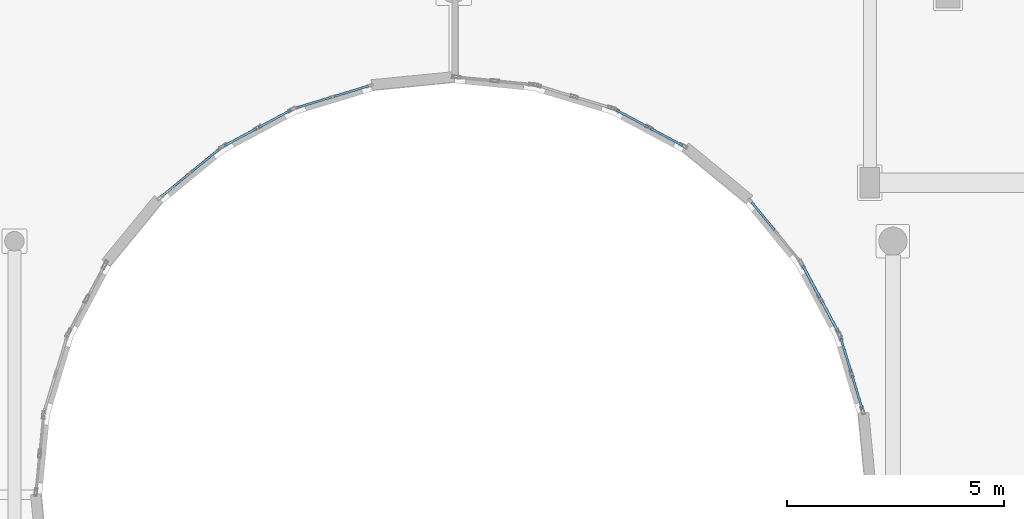
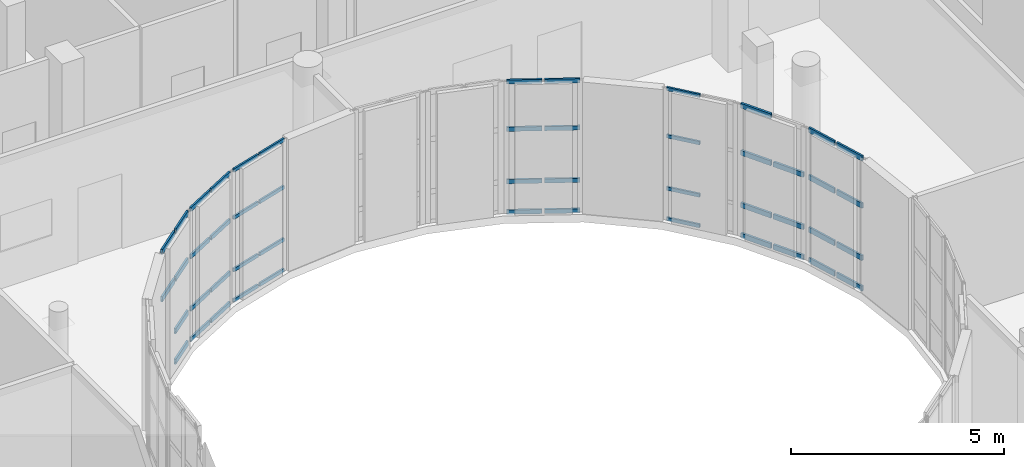
# One storey, part 53 of 89: 49 members, 7 elements without a shape of their own.
"""IFC4 building model written with IfcOpenShell, lengths in metres."""

from ifc_helpers import new_model, si_unit, direction, frame, origin, origin_2d, place, context, subcontext, project, spatial, hollow_rectangle, extrude, material, layer, layer_set, material_profile, profile_set, type_object, element, aggregate, save


model = new_model("IFC4")

# Units and contexts
model_context = context("Model", 3, precision=1e-05, world=origin(), true_north=direction((0.0, 1.0)))
body_context = subcontext(model_context, "Body", "Model", "MODEL_VIEW")
ifc_project = project(units=[si_unit("LENGTHUNIT", "METRE"), si_unit("AREAUNIT", "SQUARE_METRE"), si_unit("VOLUMEUNIT", "CUBIC_METRE"), si_unit("PLANEANGLEUNIT", "RADIAN"), si_unit("MASSUNIT", "GRAM", prefix="KILO")], contexts=[model_context])

# Site, building, storey
site_placement = place(None, origin())
site = spatial("IfcSite", under=ifc_project, at=site_placement, CompositionType="ELEMENT")
building_placement = place(site_placement, origin())
building = spatial("IfcBuilding", under=site, at=building_placement, Name="Kelanivale Promenade Academy", CompositionType="ELEMENT")
storey_placement = place(building_placement, frame((0.0, 0.0, 12.199951171875)))
storey = spatial("IfcBuildingStorey", under=building, at=storey_placement, Name="L03", CompositionType="ELEMENT", Elevation=12.199951171875)

# Curtain wall, members
ifc_material_1 = material(Name="Bronze anodised aluminium and solar-control low-E glass", Category="aluminium")
ifc_layer_1 = layer(ifc_material_1, 0.169921875)
ifc_layer_set_1 = layer_set([ifc_layer_1], Name="Bronze anodised aluminium and solar-control low-E glass")
curtain_wall_type_1 = type_object("IfcCurtainWallType", Name="CW-13 Curtain Wall 1350mm Module", PredefinedType="USERDEFINED", material=ifc_layer_set_1)
curtain_wall_1_placement = place(storey_placement, origin())
curtain_wall_1 = element("IfcCurtainWall", 1, at=curtain_wall_1_placement, inside=storey, type_object=curtain_wall_type_1, Name="L03 courtyard curtain wall CW-13", ObjectType="COURTYARD SCREEN GLAZING", PredefinedType="USERDEFINED")
ifc_material_2 = material(Name="Bronze anodised aluminium EN AW-6063 T6", Category="aluminium")
ifc_material_profile_1 = material_profile(ifc_material_2, hollow_rectangle(XDim=0.050048828125, YDim=0.10009765625, WallThickness=0.0029296875, at=origin_2d()), Name="ALU 50x100x3.0")
ifc_profile_set_1 = profile_set([ifc_material_profile_1], Name="Bronze anodised aluminium EN AW-6063 T6")
member_type_1 = type_object("IfcMemberType", Name="CWT-01 ALU 50x100x3.0", PredefinedType="USERDEFINED", material=ifc_profile_set_1)
member_1_placement = place(storey_placement, frame((106.202392578125, 62.904296875, 0.025146484375), z_axis=(-0.634083092319, 0.773264917111, 0.0), x_axis=(-0.773264917111, -0.634083092319, 0.0)))
member_1 = element("IfcMember", 2, at=member_1_placement, type_object=member_type_1, Name="CW-13 transom 2.1", ObjectType="TRANSOM", PredefinedType="USERDEFINED", context=body_context, shape_type="SweptSolid", body=[
    extrude(hollow_rectangle(XDim=0.050048828125, YDim=0.10009765625, WallThickness=0.0029296875, at=origin_2d()), origin(), (0.0, 0.0, 1.0), 0.833251953125),
])
member_2_placement = place(storey_placement, frame((106.202392578125, 62.904296875, 0.900146484375), z_axis=(-0.634083092319, 0.773264917111, 0.0), x_axis=(-0.773264917111, -0.634083092319, 0.0)))
member_2 = element("IfcMember", 3, at=member_2_placement, type_object=member_type_1, Name="CW-13 transom 2.2", ObjectType="TRANSOM", PredefinedType="USERDEFINED", context=body_context, shape_type="SweptSolid", body=[
    extrude(hollow_rectangle(XDim=0.050048828125, YDim=0.10009765625, WallThickness=0.0029296875, at=origin_2d()), origin(), (0.0, 0.0, 1.0), 0.833251953125),
])
member_3_placement = place(storey_placement, frame((106.202392578125, 62.904296875, 2.400146484375), z_axis=(-0.634083092319, 0.773264917111, 0.0), x_axis=(-0.773264917111, -0.634083092319, 0.0)))
member_3 = element("IfcMember", 4, at=member_3_placement, type_object=member_type_1, Name="CW-13 transom 2.3", ObjectType="TRANSOM", PredefinedType="USERDEFINED", context=body_context, shape_type="SweptSolid", body=[
    extrude(hollow_rectangle(XDim=0.050048828125, YDim=0.10009765625, WallThickness=0.0029296875, at=origin_2d()), origin(), (0.0, 0.0, 1.0), 0.833251953125),
])
member_4_placement = place(storey_placement, frame((106.202392578125, 62.904296875, 3.755126953125), z_axis=(-0.634083092319, 0.773264917111, 0.0), x_axis=(-0.773264917111, -0.634083092319, 0.0)))
member_4 = element("IfcMember", 5, at=member_4_placement, type_object=member_type_1, Name="CW-13 transom 2.4", ObjectType="TRANSOM", PredefinedType="USERDEFINED", context=body_context, shape_type="SweptSolid", body=[
    extrude(hollow_rectangle(XDim=0.050048828125, YDim=0.10009765625, WallThickness=0.0029296875, at=origin_2d()), origin(), (0.0, 0.0, 1.0), 0.833251953125),
])
aggregate(curtain_wall_1, [member_1, member_2, member_3, member_4])

ifc_layer_2 = layer(ifc_material_1, 0.179931640625)
ifc_layer_set_2 = layer_set([ifc_layer_2], Name="Bronze anodised aluminium and solar-control low-E glass")
curtain_wall_type_2 = type_object("IfcCurtainWallType", Name="CW-17 Curtain Wall 1950mm Module", PredefinedType="USERDEFINED", material=ifc_layer_set_2)
curtain_wall_2_placement = place(storey_placement, origin())
curtain_wall_2 = element("IfcCurtainWall", 6, at=curtain_wall_2_placement, inside=storey, type_object=curtain_wall_type_2, Name="L03 courtyard curtain wall CW-17", ObjectType="COURTYARD SCREEN GLAZING", PredefinedType="USERDEFINED")
member_5_placement = place(storey_placement, frame((96.83447265625, 66.2294921875, 0.025146484375), z_axis=(-0.957049031315, -0.289926114138, 0.0), x_axis=(0.289926114138, -0.957049031315, 0.0)))
member_5 = element("IfcMember", 7, at=member_5_placement, type_object=member_type_1, Name="CW-17 transom 1.1", ObjectType="TRANSOM", PredefinedType="USERDEFINED", context=body_context, shape_type="SweptSolid", body=[
    extrude(hollow_rectangle(XDim=0.050048828125, YDim=0.10009765625, WallThickness=0.0029296875, at=origin_2d()), origin(), (0.0, 0.0, 1.0), 0.833740234375),
])
member_6_placement = place(storey_placement, frame((96.83447265625, 66.2294921875, 0.900146484375), z_axis=(-0.957049031315, -0.289926114138, 0.0), x_axis=(0.289926114138, -0.957049031315, 0.0)))
member_6 = element("IfcMember", 8, at=member_6_placement, type_object=member_type_1, Name="CW-17 transom 1.2", ObjectType="TRANSOM", PredefinedType="USERDEFINED", context=body_context, shape_type="SweptSolid", body=[
    extrude(hollow_rectangle(XDim=0.050048828125, YDim=0.10009765625, WallThickness=0.0029296875, at=origin_2d()), origin(), (0.0, 0.0, 1.0), 0.833740234375),
])
member_7_placement = place(storey_placement, frame((96.83447265625, 66.2294921875, 2.400146484375), z_axis=(-0.957049031315, -0.289926114138, 0.0), x_axis=(0.289926114138, -0.957049031315, 0.0)))
member_7 = element("IfcMember", 9, at=member_7_placement, type_object=member_type_1, Name="CW-17 transom 1.3", ObjectType="TRANSOM", PredefinedType="USERDEFINED", context=body_context, shape_type="SweptSolid", body=[
    extrude(hollow_rectangle(XDim=0.050048828125, YDim=0.10009765625, WallThickness=0.0029296875, at=origin_2d()), origin(), (0.0, 0.0, 1.0), 0.833740234375),
])
member_8_placement = place(storey_placement, frame((96.83447265625, 66.2294921875, 3.755126953125), z_axis=(-0.957049031315, -0.289926114138, 0.0), x_axis=(0.289926114138, -0.957049031315, 0.0)))
member_8 = element("IfcMember", 10, at=member_8_placement, type_object=member_type_1, Name="CW-17 transom 1.4", ObjectType="TRANSOM", PredefinedType="USERDEFINED", context=body_context, shape_type="SweptSolid", body=[
    extrude(hollow_rectangle(XDim=0.050048828125, YDim=0.10009765625, WallThickness=0.0029296875, at=origin_2d()), origin(), (0.0, 0.0, 1.0), 0.833740234375),
])
member_9_placement = place(storey_placement, frame((95.979248046875, 65.97021484375, 0.025146484375), z_axis=(-0.957049031315, -0.289926114138, 0.0), x_axis=(0.289926114138, -0.957049031315, 0.0)))
member_9 = element("IfcMember", 11, at=member_9_placement, type_object=member_type_1, Name="CW-17 transom 2.1", ObjectType="TRANSOM", PredefinedType="USERDEFINED", context=body_context, shape_type="SweptSolid", body=[
    extrude(hollow_rectangle(XDim=0.050048828125, YDim=0.10009765625, WallThickness=0.0029296875, at=origin_2d()), origin(), (0.0, 0.0, 1.0), 0.833740234375),
])
member_10_placement = place(storey_placement, frame((95.979248046875, 65.97021484375, 0.900146484375), z_axis=(-0.957049031315, -0.289926114138, 0.0), x_axis=(0.289926114138, -0.957049031315, 0.0)))
member_10 = element("IfcMember", 12, at=member_10_placement, type_object=member_type_1, Name="CW-17 transom 2.2", ObjectType="TRANSOM", PredefinedType="USERDEFINED", context=body_context, shape_type="SweptSolid", body=[
    extrude(hollow_rectangle(XDim=0.050048828125, YDim=0.10009765625, WallThickness=0.0029296875, at=origin_2d()), origin(), (0.0, 0.0, 1.0), 0.833740234375),
])
member_11_placement = place(storey_placement, frame((95.979248046875, 65.97021484375, 2.400146484375), z_axis=(-0.957049031315, -0.289926114138, 0.0), x_axis=(0.289926114138, -0.957049031315, 0.0)))
member_11 = element("IfcMember", 13, at=member_11_placement, type_object=member_type_1, Name="CW-17 transom 2.3", ObjectType="TRANSOM", PredefinedType="USERDEFINED", context=body_context, shape_type="SweptSolid", body=[
    extrude(hollow_rectangle(XDim=0.050048828125, YDim=0.10009765625, WallThickness=0.0029296875, at=origin_2d()), origin(), (0.0, 0.0, 1.0), 0.833740234375),
])
member_12_placement = place(storey_placement, frame((95.979248046875, 65.97021484375, 3.755126953125), z_axis=(-0.957049031315, -0.289926114138, 0.0), x_axis=(0.289926114138, -0.957049031315, 0.0)))
member_12 = element("IfcMember", 14, at=member_12_placement, type_object=member_type_1, Name="CW-17 transom 2.4", ObjectType="TRANSOM", PredefinedType="USERDEFINED", context=body_context, shape_type="SweptSolid", body=[
    extrude(hollow_rectangle(XDim=0.050048828125, YDim=0.10009765625, WallThickness=0.0029296875, at=origin_2d()), origin(), (0.0, 0.0, 1.0), 0.833740234375),
])
aggregate(curtain_wall_2, [member_5, member_6, member_7, member_8, member_9, member_10, member_11, member_12])

ifc_layer_3 = layer(ifc_material_1, 0.179931640625)
ifc_layer_set_3 = layer_set([ifc_layer_3], Name="Bronze anodised aluminium and solar-control low-E glass")
curtain_wall_type_3 = type_object("IfcCurtainWallType", Name="CW-14 Curtain Wall 1500mm Module", PredefinedType="USERDEFINED", material=ifc_layer_set_3)
curtain_wall_3_placement = place(storey_placement, origin())
curtain_wall_3 = element("IfcCurtainWall", 15, at=curtain_wall_3_placement, inside=storey, type_object=curtain_wall_type_3, Name="L03 courtyard curtain wall CW-14", ObjectType="COURTYARD SCREEN GLAZING", PredefinedType="USERDEFINED")
ifc_material_profile_2 = material_profile(ifc_material_2, hollow_rectangle(XDim=0.050048828125, YDim=0.1201171875, WallThickness=0.0029296875, at=origin_2d()), Name="ALU 50x120x3.0")
ifc_profile_set_2 = profile_set([ifc_material_profile_2], Name="Bronze anodised aluminium EN AW-6063 T6")
member_type_2 = type_object("IfcMemberType", Name="CWT-02 ALU 50x120x3.0", PredefinedType="USERDEFINED", material=ifc_profile_set_2)
member_13_placement = place(storey_placement, frame((104.078125, 64.857177734375, 0.025146484375), z_axis=(-0.881979921347, 0.471286980873, 0.0), x_axis=(-0.471286980873, -0.881979921347, 0.0)))
member_13 = element("IfcMember", 16, at=member_13_placement, type_object=member_type_2, Name="CW-14 transom 1.1", ObjectType="TRANSOM", PredefinedType="USERDEFINED", context=body_context, shape_type="SweptSolid", body=[
    extrude(hollow_rectangle(XDim=0.050048828125, YDim=0.1201171875, WallThickness=0.0029296875, at=origin_2d()), origin(), (0.0, 0.0, 1.0), 0.833984375),
])
member_14_placement = place(storey_placement, frame((104.078125, 64.857177734375, 0.900146484375), z_axis=(-0.881979921347, 0.471286980873, 0.0), x_axis=(-0.471286980873, -0.881979921347, 0.0)))
member_14 = element("IfcMember", 17, at=member_14_placement, type_object=member_type_2, Name="CW-14 transom 1.2", ObjectType="TRANSOM", PredefinedType="USERDEFINED", context=body_context, shape_type="SweptSolid", body=[
    extrude(hollow_rectangle(XDim=0.050048828125, YDim=0.1201171875, WallThickness=0.0029296875, at=origin_2d()), origin(), (0.0, 0.0, 1.0), 0.833984375),
])
member_15_placement = place(storey_placement, frame((104.078125, 64.857177734375, 2.400146484375), z_axis=(-0.881979921347, 0.471286980873, 0.0), x_axis=(-0.471286980873, -0.881979921347, 0.0)))
member_15 = element("IfcMember", 18, at=member_15_placement, type_object=member_type_2, Name="CW-14 transom 1.3", ObjectType="TRANSOM", PredefinedType="USERDEFINED", context=body_context, shape_type="SweptSolid", body=[
    extrude(hollow_rectangle(XDim=0.050048828125, YDim=0.1201171875, WallThickness=0.0029296875, at=origin_2d()), origin(), (0.0, 0.0, 1.0), 0.833984375),
])
member_16_placement = place(storey_placement, frame((104.078125, 64.857177734375, 3.755126953125), z_axis=(-0.881979921347, 0.471286980873, 0.0), x_axis=(-0.471286980873, -0.881979921347, 0.0)))
member_16 = element("IfcMember", 19, at=member_16_placement, type_object=member_type_2, Name="CW-14 transom 1.4", ObjectType="TRANSOM", PredefinedType="USERDEFINED", context=body_context, shape_type="SweptSolid", body=[
    extrude(hollow_rectangle(XDim=0.050048828125, YDim=0.1201171875, WallThickness=0.0029296875, at=origin_2d()), origin(), (0.0, 0.0, 1.0), 0.833984375),
])
member_17_placement = place(storey_placement, frame((103.28955078125, 65.278564453125, 0.025146484375), z_axis=(-0.881979921347, 0.471286980873, 0.0), x_axis=(-0.471286980873, -0.881979921347, 0.0)))
member_17 = element("IfcMember", 20, at=member_17_placement, type_object=member_type_2, Name="CW-14 transom 2.1", ObjectType="TRANSOM", PredefinedType="USERDEFINED", context=body_context, shape_type="SweptSolid", body=[
    extrude(hollow_rectangle(XDim=0.050048828125, YDim=0.1201171875, WallThickness=0.0029296875, at=origin_2d()), origin(), (0.0, 0.0, 1.0), 0.833984375),
])
member_18_placement = place(storey_placement, frame((103.28955078125, 65.278564453125, 0.900146484375), z_axis=(-0.881979921347, 0.471286980873, 0.0), x_axis=(-0.471286980873, -0.881979921347, 0.0)))
member_18 = element("IfcMember", 21, at=member_18_placement, type_object=member_type_2, Name="CW-14 transom 2.2", ObjectType="TRANSOM", PredefinedType="USERDEFINED", context=body_context, shape_type="SweptSolid", body=[
    extrude(hollow_rectangle(XDim=0.050048828125, YDim=0.1201171875, WallThickness=0.0029296875, at=origin_2d()), origin(), (0.0, 0.0, 1.0), 0.833984375),
])
member_19_placement = place(storey_placement, frame((103.28955078125, 65.278564453125, 2.400146484375), z_axis=(-0.881979921347, 0.471286980873, 0.0), x_axis=(-0.471286980873, -0.881979921347, 0.0)))
member_19 = element("IfcMember", 22, at=member_19_placement, type_object=member_type_2, Name="CW-14 transom 2.3", ObjectType="TRANSOM", PredefinedType="USERDEFINED", context=body_context, shape_type="SweptSolid", body=[
    extrude(hollow_rectangle(XDim=0.050048828125, YDim=0.1201171875, WallThickness=0.0029296875, at=origin_2d()), origin(), (0.0, 0.0, 1.0), 0.833984375),
])
member_20_placement = place(storey_placement, frame((103.28955078125, 65.278564453125, 3.755126953125), z_axis=(-0.881979921347, 0.471286980873, 0.0), x_axis=(-0.471286980873, -0.881979921347, 0.0)))
member_20 = element("IfcMember", 23, at=member_20_placement, type_object=member_type_2, Name="CW-14 transom 2.4", ObjectType="TRANSOM", PredefinedType="USERDEFINED", context=body_context, shape_type="SweptSolid", body=[
    extrude(hollow_rectangle(XDim=0.050048828125, YDim=0.1201171875, WallThickness=0.0029296875, at=origin_2d()), origin(), (0.0, 0.0, 1.0), 0.833984375),
])
aggregate(curtain_wall_3, [member_13, member_14, member_15, member_16, member_17, member_18, member_19, member_20])

ifc_layer_4 = layer(ifc_material_1, 0.159912109375)
ifc_layer_set_4 = layer_set([ifc_layer_4], Name="Bronze anodised aluminium and solar-control low-E glass")
curtain_wall_type_4 = type_object("IfcCurtainWallType", Name="CW-18 Curtain Wall 1200mm Module", PredefinedType="USERDEFINED", material=ifc_layer_set_4)
curtain_wall_4_placement = place(storey_placement, origin())
curtain_wall_4 = element("IfcCurtainWall", 24, at=curtain_wall_4_placement, inside=storey, type_object=curtain_wall_type_4, Name="L03 courtyard curtain wall CW-18", ObjectType="COURTYARD SCREEN GLAZING", PredefinedType="USERDEFINED")
member_21_placement = place(storey_placement, frame((95.046142578125, 65.671630859375, 0.025146484375), z_axis=(-0.882031471139, -0.471190496424, 0.0), x_axis=(0.471190496424, -0.882031471139, 0.0)))
member_21 = element("IfcMember", 25, at=member_21_placement, type_object=member_type_2, Name="CW-18 transom 1.1", ObjectType="TRANSOM", PredefinedType="USERDEFINED", context=body_context, shape_type="SweptSolid", body=[
    extrude(hollow_rectangle(XDim=0.050048828125, YDim=0.1201171875, WallThickness=0.0029296875, at=origin_2d()), origin(), (0.0, 0.0, 1.0), 0.841552734375),
])
member_22_placement = place(storey_placement, frame((95.046142578125, 65.671630859375, 0.900146484375), z_axis=(-0.882031471139, -0.471190496424, 0.0), x_axis=(0.471190496424, -0.882031471139, 0.0)))
member_22 = element("IfcMember", 26, at=member_22_placement, type_object=member_type_2, Name="CW-18 transom 1.2", ObjectType="TRANSOM", PredefinedType="USERDEFINED", context=body_context, shape_type="SweptSolid", body=[
    extrude(hollow_rectangle(XDim=0.050048828125, YDim=0.1201171875, WallThickness=0.0029296875, at=origin_2d()), origin(), (0.0, 0.0, 1.0), 0.841552734375),
])
member_23_placement = place(storey_placement, frame((95.046142578125, 65.671630859375, 2.400146484375), z_axis=(-0.882031471139, -0.471190496424, 0.0), x_axis=(0.471190496424, -0.882031471139, 0.0)))
member_23 = element("IfcMember", 27, at=member_23_placement, type_object=member_type_2, Name="CW-18 transom 1.3", ObjectType="TRANSOM", PredefinedType="USERDEFINED", context=body_context, shape_type="SweptSolid", body=[
    extrude(hollow_rectangle(XDim=0.050048828125, YDim=0.1201171875, WallThickness=0.0029296875, at=origin_2d()), origin(), (0.0, 0.0, 1.0), 0.841552734375),
])
member_24_placement = place(storey_placement, frame((95.046142578125, 65.671630859375, 3.755126953125), z_axis=(-0.882031471139, -0.471190496424, 0.0), x_axis=(0.471190496424, -0.882031471139, 0.0)))
member_24 = element("IfcMember", 28, at=member_24_placement, type_object=member_type_2, Name="CW-18 transom 1.4", ObjectType="TRANSOM", PredefinedType="USERDEFINED", context=body_context, shape_type="SweptSolid", body=[
    extrude(hollow_rectangle(XDim=0.050048828125, YDim=0.1201171875, WallThickness=0.0029296875, at=origin_2d()), origin(), (0.0, 0.0, 1.0), 0.841552734375),
])
member_25_placement = place(storey_placement, frame((94.2509765625, 65.246826171875, 0.025146484375), z_axis=(-0.881967028951, -0.471311107278, 0.0), x_axis=(0.471311107278, -0.881967028951, 0.0)))
member_25 = element("IfcMember", 29, at=member_25_placement, type_object=member_type_2, Name="CW-18 transom 2.1", ObjectType="TRANSOM", PredefinedType="USERDEFINED", context=body_context, shape_type="SweptSolid", body=[
    extrude(hollow_rectangle(XDim=0.050048828125, YDim=0.1201171875, WallThickness=0.0029296875, at=origin_2d()), origin(), (0.0, 0.0, 1.0), 0.84130859375),
])
member_26_placement = place(storey_placement, frame((94.2509765625, 65.246826171875, 0.900146484375), z_axis=(-0.881967028951, -0.471311107278, 0.0), x_axis=(0.471311107278, -0.881967028951, 0.0)))
member_26 = element("IfcMember", 30, at=member_26_placement, type_object=member_type_2, Name="CW-18 transom 2.2", ObjectType="TRANSOM", PredefinedType="USERDEFINED", context=body_context, shape_type="SweptSolid", body=[
    extrude(hollow_rectangle(XDim=0.050048828125, YDim=0.1201171875, WallThickness=0.0029296875, at=origin_2d()), origin(), (0.0, 0.0, 1.0), 0.84130859375),
])
member_27_placement = place(storey_placement, frame((94.2509765625, 65.246826171875, 2.400146484375), z_axis=(-0.881967028951, -0.471311107278, 0.0), x_axis=(0.471311107278, -0.881967028951, 0.0)))
member_27 = element("IfcMember", 31, at=member_27_placement, type_object=member_type_2, Name="CW-18 transom 2.3", ObjectType="TRANSOM", PredefinedType="USERDEFINED", context=body_context, shape_type="SweptSolid", body=[
    extrude(hollow_rectangle(XDim=0.050048828125, YDim=0.1201171875, WallThickness=0.0029296875, at=origin_2d()), origin(), (0.0, 0.0, 1.0), 0.84130859375),
])
member_28_placement = place(storey_placement, frame((94.2509765625, 65.246826171875, 3.755126953125), z_axis=(-0.881967028951, -0.471311107278, 0.0), x_axis=(0.471311107278, -0.881967028951, 0.0)))
member_28 = element("IfcMember", 32, at=member_28_placement, type_object=member_type_2, Name="CW-18 transom 2.4", ObjectType="TRANSOM", PredefinedType="USERDEFINED", context=body_context, shape_type="SweptSolid", body=[
    extrude(hollow_rectangle(XDim=0.050048828125, YDim=0.1201171875, WallThickness=0.0029296875, at=origin_2d()), origin(), (0.0, 0.0, 1.0), 0.84130859375),
])
aggregate(curtain_wall_4, [member_21, member_22, member_23, member_24, member_25, member_26, member_27, member_28])

ifc_layer_5 = layer(ifc_material_1, 0.179931640625)
ifc_layer_set_5 = layer_set([ifc_layer_5], Name="Bronze anodised aluminium and solar-control low-E glass")
curtain_wall_type_5 = type_object("IfcCurtainWallType", Name="CW-11 Curtain Wall 1950mm Module", PredefinedType="USERDEFINED", material=ifc_layer_set_5)
curtain_wall_5_placement = place(storey_placement, origin())
curtain_wall_5 = element("IfcCurtainWall", 33, at=curtain_wall_5_placement, inside=storey, type_object=curtain_wall_type_5, Name="L03 courtyard curtain wall CW-11", ObjectType="UNITISED GLAZING", PredefinedType="USERDEFINED")
ifc_material_profile_3 = material_profile(ifc_material_2, hollow_rectangle(XDim=0.050048828125, YDim=0.14990234375, WallThickness=0.00341796875, at=origin_2d()), Name="ALU 50x150x3.5")
ifc_profile_set_3 = profile_set([ifc_material_profile_3], Name="Bronze anodised aluminium EN AW-6063 T6")
member_type_3 = type_object("IfcMemberType", Name="CWT-03 ALU 50x150x3.5", PredefinedType="USERDEFINED", material=ifc_profile_set_3)
member_29_placement = place(storey_placement, frame((108.22802734375, 58.770263671875, 0.025146484375), z_axis=(-0.289949971984, 0.957041803552, 0.0), x_axis=(-0.957041803552, -0.289949971984, 0.0)))
member_29 = element("IfcMember", 34, at=member_29_placement, type_object=member_type_3, Name="CW-11 transom 1.1", ObjectType="TRANSOM", PredefinedType="USERDEFINED", context=body_context, shape_type="SweptSolid", body=[
    extrude(hollow_rectangle(XDim=0.050048828125, YDim=0.14990234375, WallThickness=0.00341796875, at=origin_2d()), origin(), (0.0, 0.0, 1.0), 0.825927734375),
])
member_30_placement = place(storey_placement, frame((108.22802734375, 58.770263671875, 0.900146484375), z_axis=(-0.289949971984, 0.957041803552, 0.0), x_axis=(-0.957041803552, -0.289949971984, 0.0)))
member_30 = element("IfcMember", 35, at=member_30_placement, type_object=member_type_3, Name="CW-11 transom 1.2", ObjectType="TRANSOM", PredefinedType="USERDEFINED", context=body_context, shape_type="SweptSolid", body=[
    extrude(hollow_rectangle(XDim=0.050048828125, YDim=0.14990234375, WallThickness=0.00341796875, at=origin_2d()), origin(), (0.0, 0.0, 1.0), 0.825927734375),
])
member_31_placement = place(storey_placement, frame((108.22802734375, 58.770263671875, 2.400146484375), z_axis=(-0.289949971984, 0.957041803552, 0.0), x_axis=(-0.957041803552, -0.289949971984, 0.0)))
member_31 = element("IfcMember", 36, at=member_31_placement, type_object=member_type_3, Name="CW-11 transom 1.3", ObjectType="TRANSOM", PredefinedType="USERDEFINED", context=body_context, shape_type="SweptSolid", body=[
    extrude(hollow_rectangle(XDim=0.050048828125, YDim=0.14990234375, WallThickness=0.00341796875, at=origin_2d()), origin(), (0.0, 0.0, 1.0), 0.825927734375),
])
member_32_placement = place(storey_placement, frame((108.22802734375, 58.770263671875, 3.755126953125), z_axis=(-0.289949971984, 0.957041803552, 0.0), x_axis=(-0.957041803552, -0.289949971984, 0.0)))
member_32 = element("IfcMember", 37, at=member_32_placement, type_object=member_type_3, Name="CW-11 transom 1.4", ObjectType="TRANSOM", PredefinedType="USERDEFINED", context=body_context, shape_type="SweptSolid", body=[
    extrude(hollow_rectangle(XDim=0.050048828125, YDim=0.14990234375, WallThickness=0.00341796875, at=origin_2d()), origin(), (0.0, 0.0, 1.0), 0.825927734375),
])
member_33_placement = place(storey_placement, frame((107.969482421875, 59.623046875, 0.025146484375), z_axis=(-0.290138596258, 0.956984636742, 0.0), x_axis=(-0.956984636742, -0.290138596258, 0.0)))
member_33 = element("IfcMember", 38, at=member_33_placement, type_object=member_type_3, Name="CW-11 transom 2.1", ObjectType="TRANSOM", PredefinedType="USERDEFINED", context=body_context, shape_type="SweptSolid", body=[
    extrude(hollow_rectangle(XDim=0.050048828125, YDim=0.14990234375, WallThickness=0.00341796875, at=origin_2d()), origin(), (0.0, 0.0, 1.0), 0.826416015625),
])
member_34_placement = place(storey_placement, frame((107.969482421875, 59.623046875, 0.900146484375), z_axis=(-0.290138596258, 0.956984636742, 0.0), x_axis=(-0.956984636742, -0.290138596258, 0.0)))
member_34 = element("IfcMember", 39, at=member_34_placement, type_object=member_type_3, Name="CW-11 transom 2.2", ObjectType="TRANSOM", PredefinedType="USERDEFINED", context=body_context, shape_type="SweptSolid", body=[
    extrude(hollow_rectangle(XDim=0.050048828125, YDim=0.14990234375, WallThickness=0.00341796875, at=origin_2d()), origin(), (0.0, 0.0, 1.0), 0.826416015625),
])
member_35_placement = place(storey_placement, frame((107.969482421875, 59.623046875, 2.400146484375), z_axis=(-0.290138596258, 0.956984636742, 0.0), x_axis=(-0.956984636742, -0.290138596258, 0.0)))
member_35 = element("IfcMember", 40, at=member_35_placement, type_object=member_type_3, Name="CW-11 transom 2.3", ObjectType="TRANSOM", PredefinedType="USERDEFINED", context=body_context, shape_type="SweptSolid", body=[
    extrude(hollow_rectangle(XDim=0.050048828125, YDim=0.14990234375, WallThickness=0.00341796875, at=origin_2d()), origin(), (0.0, 0.0, 1.0), 0.826416015625),
])
member_36_placement = place(storey_placement, frame((107.969482421875, 59.623046875, 3.755126953125), z_axis=(-0.290138596258, 0.956984636742, 0.0), x_axis=(-0.956984636742, -0.290138596258, 0.0)))
member_36 = element("IfcMember", 41, at=member_36_placement, type_object=member_type_3, Name="CW-11 transom 2.4", ObjectType="TRANSOM", PredefinedType="USERDEFINED", context=body_context, shape_type="SweptSolid", body=[
    extrude(hollow_rectangle(XDim=0.050048828125, YDim=0.14990234375, WallThickness=0.00341796875, at=origin_2d()), origin(), (0.0, 0.0, 1.0), 0.826416015625),
])
aggregate(curtain_wall_5, [member_29, member_30, member_31, member_32, member_33, member_34, member_35, member_36])

ifc_layer_6 = layer(ifc_material_1, 0.169921875)
ifc_layer_set_6 = layer_set([ifc_layer_6], Name="Bronze anodised aluminium and solar-control low-E glass")
curtain_wall_type_6 = type_object("IfcCurtainWallType", Name="CW-19 Curtain Wall 1350mm Module", PredefinedType="USERDEFINED", material=ifc_layer_set_6)
curtain_wall_6_placement = place(storey_placement, origin())
curtain_wall_6 = element("IfcCurtainWall", 42, at=curtain_wall_6_placement, inside=storey, type_object=curtain_wall_type_6, Name="L03 courtyard curtain wall CW-19", ObjectType="COURTYARD SCREEN GLAZING", PredefinedType="USERDEFINED")
member_37_placement = place(storey_placement, frame((93.3828125, 64.765869140625, 0.025146484375), z_axis=(-0.7732851825, -0.634058377853, 0.0), x_axis=(0.634058377853, -0.7732851825, 0.0)))
member_37 = element("IfcMember", 43, at=member_37_placement, type_object=member_type_3, Name="CW-19 transom 1.1", ObjectType="TRANSOM", PredefinedType="USERDEFINED", context=body_context, shape_type="SweptSolid", body=[
    extrude(hollow_rectangle(XDim=0.050048828125, YDim=0.14990234375, WallThickness=0.00341796875, at=origin_2d()), origin(), (0.0, 0.0, 1.0), 0.825927734375),
])
member_38_placement = place(storey_placement, frame((93.3828125, 64.765869140625, 0.900146484375), z_axis=(-0.7732851825, -0.634058377853, 0.0), x_axis=(0.634058377853, -0.7732851825, 0.0)))
member_38 = element("IfcMember", 44, at=member_38_placement, type_object=member_type_3, Name="CW-19 transom 1.2", ObjectType="TRANSOM", PredefinedType="USERDEFINED", context=body_context, shape_type="SweptSolid", body=[
    extrude(hollow_rectangle(XDim=0.050048828125, YDim=0.14990234375, WallThickness=0.00341796875, at=origin_2d()), origin(), (0.0, 0.0, 1.0), 0.825927734375),
])
member_39_placement = place(storey_placement, frame((93.3828125, 64.765869140625, 2.400146484375), z_axis=(-0.7732851825, -0.634058377853, 0.0), x_axis=(0.634058377853, -0.7732851825, 0.0)))
member_39 = element("IfcMember", 45, at=member_39_placement, type_object=member_type_3, Name="CW-19 transom 1.3", ObjectType="TRANSOM", PredefinedType="USERDEFINED", context=body_context, shape_type="SweptSolid", body=[
    extrude(hollow_rectangle(XDim=0.050048828125, YDim=0.14990234375, WallThickness=0.00341796875, at=origin_2d()), origin(), (0.0, 0.0, 1.0), 0.825927734375),
])
member_40_placement = place(storey_placement, frame((93.3828125, 64.765869140625, 3.755126953125), z_axis=(-0.7732851825, -0.634058377853, 0.0), x_axis=(0.634058377853, -0.7732851825, 0.0)))
member_40 = element("IfcMember", 46, at=member_40_placement, type_object=member_type_3, Name="CW-19 transom 1.4", ObjectType="TRANSOM", PredefinedType="USERDEFINED", context=body_context, shape_type="SweptSolid", body=[
    extrude(hollow_rectangle(XDim=0.050048828125, YDim=0.14990234375, WallThickness=0.00341796875, at=origin_2d()), origin(), (0.0, 0.0, 1.0), 0.825927734375),
])
member_41_placement = place(storey_placement, frame((92.69384765625, 64.200927734375, 2.400146484375), z_axis=(-0.7732851825, -0.634058377853, 0.0), x_axis=(0.634058377853, -0.7732851825, 0.0)))
member_41 = element("IfcMember", 47, at=member_41_placement, type_object=member_type_3, Name="CW-19 transom 2.3", ObjectType="TRANSOM", PredefinedType="USERDEFINED", context=body_context, shape_type="SweptSolid", body=[
    extrude(hollow_rectangle(XDim=0.050048828125, YDim=0.14990234375, WallThickness=0.00341796875, at=origin_2d()), origin(), (0.0, 0.0, 1.0), 0.825927734375),
])
member_42_placement = place(storey_placement, frame((92.69384765625, 64.200927734375, 3.755126953125), z_axis=(-0.7732851825, -0.634058377853, 0.0), x_axis=(0.634058377853, -0.7732851825, 0.0)))
member_42 = element("IfcMember", 48, at=member_42_placement, type_object=member_type_3, Name="CW-19 transom 2.4", ObjectType="TRANSOM", PredefinedType="USERDEFINED", context=body_context, shape_type="SweptSolid", body=[
    extrude(hollow_rectangle(XDim=0.050048828125, YDim=0.14990234375, WallThickness=0.00341796875, at=origin_2d()), origin(), (0.0, 0.0, 1.0), 0.825927734375),
])
aggregate(curtain_wall_6, [member_37, member_38, member_39, member_40, member_41, member_42])

ifc_layer_7 = layer(ifc_material_1, 0.159912109375)
ifc_layer_set_7 = layer_set([ifc_layer_7], Name="Bronze anodised aluminium and solar-control low-E glass")
curtain_wall_type_7 = type_object("IfcCurtainWallType", Name="CW-12 Curtain Wall 1200mm Module", PredefinedType="USERDEFINED", material=ifc_layer_set_7)
curtain_wall_7_placement = place(storey_placement, origin())
curtain_wall_7 = element("IfcCurtainWall", 49, at=curtain_wall_7_placement, inside=storey, type_object=curtain_wall_type_7, Name="L03 courtyard curtain wall CW-12", ObjectType="UNITISED GLAZING", PredefinedType="USERDEFINED")
ifc_material_profile_4 = material_profile(ifc_material_2, hollow_rectangle(XDim=0.06005859375, YDim=0.139892578125, WallThickness=0.00341796875, at=origin_2d()), Name="ALU 60x140x3.5")
ifc_profile_set_4 = profile_set([ifc_material_profile_4], Name="Bronze anodised aluminium EN AW-6063 T6")
member_type_4 = type_object("IfcMemberType", Name="CWT-04 ALU 60x140x3.5", PredefinedType="USERDEFINED", material=ifc_profile_set_4)
member_43_placement = place(storey_placement, frame((107.66943359375, 60.558349609375, 0.030029296875), z_axis=(-0.471286980873, 0.881979921347, 0.0), x_axis=(-0.881979921347, -0.471286980873, 0.0)))
member_43 = element("IfcMember", 50, at=member_43_placement, type_object=member_type_4, Name="CW-12 transom 1.1", ObjectType="TRANSOM", PredefinedType="USERDEFINED", context=body_context, shape_type="SweptSolid", body=[
    extrude(hollow_rectangle(XDim=0.06005859375, YDim=0.139892578125, WallThickness=0.00341796875, at=origin_2d()), origin(), (0.0, 0.0, 1.0), 0.833984375),
])
member_44_placement = place(storey_placement, frame((107.66943359375, 60.558349609375, 0.900146484375), z_axis=(-0.471286980873, 0.881979921347, 0.0), x_axis=(-0.881979921347, -0.471286980873, 0.0)))
member_44 = element("IfcMember", 51, at=member_44_placement, type_object=member_type_4, Name="CW-12 transom 1.2", ObjectType="TRANSOM", PredefinedType="USERDEFINED", context=body_context, shape_type="SweptSolid", body=[
    extrude(hollow_rectangle(XDim=0.06005859375, YDim=0.139892578125, WallThickness=0.00341796875, at=origin_2d()), origin(), (0.0, 0.0, 1.0), 0.833984375),
])
member_45_placement = place(storey_placement, frame((107.66943359375, 60.558349609375, 2.400146484375), z_axis=(-0.471286980873, 0.881979921347, 0.0), x_axis=(-0.881979921347, -0.471286980873, 0.0)))
member_45 = element("IfcMember", 52, at=member_45_placement, type_object=member_type_4, Name="CW-12 transom 1.3", ObjectType="TRANSOM", PredefinedType="USERDEFINED", context=body_context, shape_type="SweptSolid", body=[
    extrude(hollow_rectangle(XDim=0.06005859375, YDim=0.139892578125, WallThickness=0.00341796875, at=origin_2d()), origin(), (0.0, 0.0, 1.0), 0.833984375),
])
member_46_placement = place(storey_placement, frame((107.24560546875, 61.35107421875, 0.030029296875), z_axis=(-0.471286980873, 0.881979921347, 0.0), x_axis=(-0.881979921347, -0.471286980873, 0.0)))
member_46 = element("IfcMember", 53, at=member_46_placement, type_object=member_type_4, Name="CW-12 transom 2.1", ObjectType="TRANSOM", PredefinedType="USERDEFINED", context=body_context, shape_type="SweptSolid", body=[
    extrude(hollow_rectangle(XDim=0.06005859375, YDim=0.139892578125, WallThickness=0.00341796875, at=origin_2d()), origin(), (0.0, 0.0, 1.0), 0.833984375),
])
member_47_placement = place(storey_placement, frame((107.24560546875, 61.35107421875, 0.900146484375), z_axis=(-0.471286980873, 0.881979921347, 0.0), x_axis=(-0.881979921347, -0.471286980873, 0.0)))
member_47 = element("IfcMember", 54, at=member_47_placement, type_object=member_type_4, Name="CW-12 transom 2.2", ObjectType="TRANSOM", PredefinedType="USERDEFINED", context=body_context, shape_type="SweptSolid", body=[
    extrude(hollow_rectangle(XDim=0.06005859375, YDim=0.139892578125, WallThickness=0.00341796875, at=origin_2d()), origin(), (0.0, 0.0, 1.0), 0.833984375),
])
member_48_placement = place(storey_placement, frame((107.24560546875, 61.35107421875, 2.400146484375), z_axis=(-0.471286980873, 0.881979921347, 0.0), x_axis=(-0.881979921347, -0.471286980873, 0.0)))
member_48 = element("IfcMember", 55, at=member_48_placement, type_object=member_type_4, Name="CW-12 transom 2.3", ObjectType="TRANSOM", PredefinedType="USERDEFINED", context=body_context, shape_type="SweptSolid", body=[
    extrude(hollow_rectangle(XDim=0.06005859375, YDim=0.139892578125, WallThickness=0.00341796875, at=origin_2d()), origin(), (0.0, 0.0, 1.0), 0.833984375),
])
member_49_placement = place(storey_placement, frame((107.24560546875, 61.35107421875, 3.75), z_axis=(-0.471286980873, 0.881979921347, 0.0), x_axis=(-0.881979921347, -0.471286980873, 0.0)))
member_49 = element("IfcMember", 56, at=member_49_placement, type_object=member_type_4, Name="CW-12 transom 2.4", ObjectType="TRANSOM", PredefinedType="USERDEFINED", context=body_context, shape_type="SweptSolid", body=[
    extrude(hollow_rectangle(XDim=0.06005859375, YDim=0.139892578125, WallThickness=0.00341796875, at=origin_2d()), origin(), (0.0, 0.0, 1.0), 0.833984375),
])
aggregate(curtain_wall_7, [member_43, member_44, member_45, member_46, member_47, member_48, member_49])

save(model, "model.ifc")
